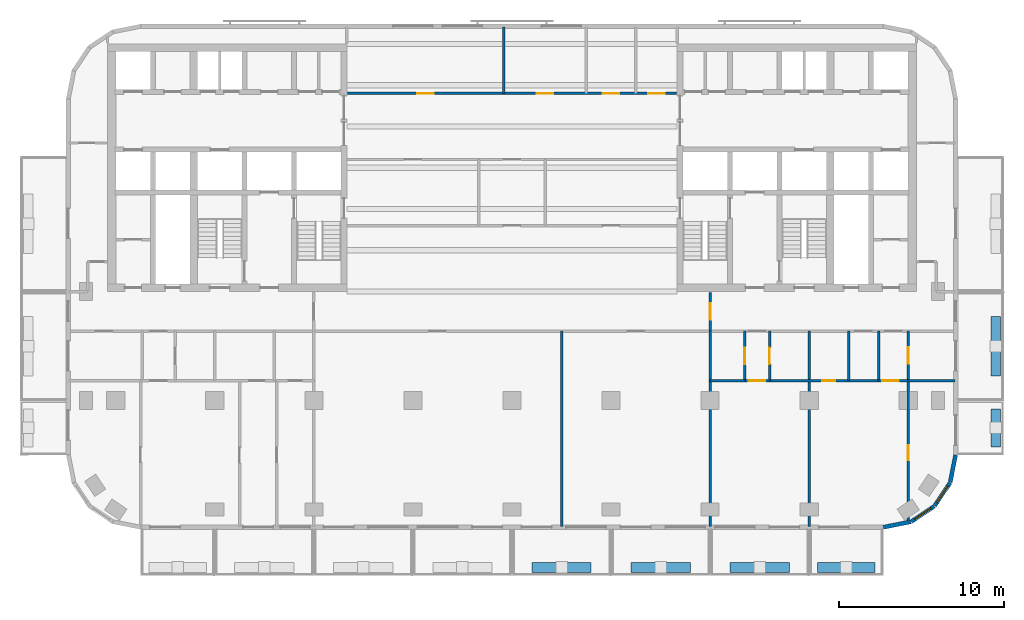
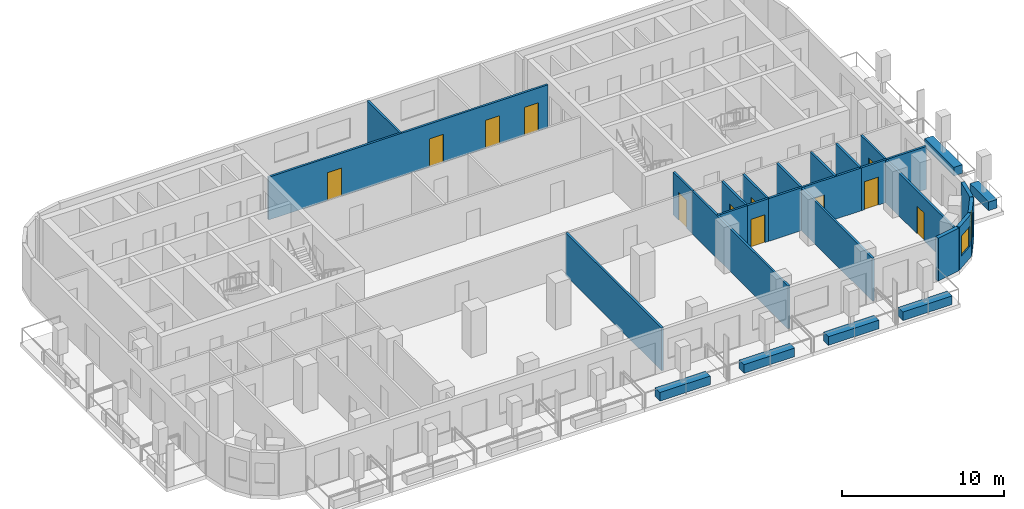
# One storey, part 5 of 11: 27 walls, 12 doors, 2 windows, 14 openings.
"""IFC4 building model written with IfcOpenShell, lengths in metres."""

from ifc_helpers import new_model, si_unit, direction, frame, frame_2d, origin, place, context, subcontext, project, spatial, rectangle, extrude, material, layer, layer_set, type_object, element, fill, save


model = new_model("IFC4")

# Units and contexts
model_context = context("Model", 3, precision=1e-05, world=origin(), true_north=direction((0.0, 1.0)))
body_context = subcontext(model_context, "Body", "Model", "MODEL_VIEW")
ifc_project = project(units=[si_unit("LENGTHUNIT", "METRE"), si_unit("AREAUNIT", "SQUARE_METRE"), si_unit("VOLUMEUNIT", "CUBIC_METRE"), si_unit("PLANEANGLEUNIT", "RADIAN"), si_unit("MASSUNIT", "GRAM", prefix="KILO")], contexts=[model_context])

# Site, building, storey
site_placement = place(None, origin())
site = spatial("IfcSite", under=ifc_project, at=site_placement, CompositionType="ELEMENT")
building_placement = place(site_placement, origin())
building = spatial("IfcBuilding", under=site, at=building_placement, Name="Torana Hotel and Residences", CompositionType="ELEMENT")
storey_placement = place(building_placement, frame((0.0, 0.0, 204.60009765625)))
storey = spatial("IfcBuildingStorey", under=building, at=storey_placement, Name="L53", CompositionType="ELEMENT", Elevation=204.60009765625)

# Wall
ifc_material_1 = material(Name="Black aluminium composite panel", Category="aluminium")
ifc_layer_1 = layer(ifc_material_1, 0.00390625, Name="Cladding", Category="cladding")
ifc_material_2 = material(Name="Ventilated air cavity")
ifc_layer_2 = layer(ifc_material_2, 0.0400390625, Name="Ventilated cavity", Category="cavity")
ifc_material_3 = material(Name="Mineral wool insulation")
ifc_layer_3 = layer(ifc_material_3, 0.090087890625, Name="Insulation", Category="insulation")
ifc_material_4 = material(Name="Steel S280GD", Category="steel")
ifc_layer_4 = layer(ifc_material_4, 0.092041015625, Name="Steel stud frame", Category="structure")
ifc_material_5 = material(Name="Fire rated plasterboard")
ifc_layer_5 = layer(ifc_material_5, 0.011962890625, Name="Inner board", Category="finish")
ifc_layer_6 = layer(ifc_material_5, 0.011962890625, Name="Second board", Category="finish")
ifc_layer_set_1 = layer_set([ifc_layer_1, ifc_layer_2, ifc_layer_3, ifc_layer_4, ifc_layer_5, ifc_layer_6], Name="EW1 EXTERNAL WALL BLACK METAL CLAD 250")
wall_type_1 = type_object("IfcWallType", Name="EW1 EXTERNAL WALL BLACK METAL CLAD 250", PredefinedType="SOLIDWALL", material=ifc_layer_set_1)
wall_1_placement = place(storey_placement, frame((22.499755859375, -29.272705078125, 0.0), z_axis=(0.0, 0.0, 1.0), x_axis=(0.980775640221, 0.19513878023, 0.0)))
element("IfcWall", 1, at=wall_1_placement, inside=storey, type_object=wall_type_1, Name="External wall L53 e0.15", PredefinedType="SOLIDWALL", context=body_context, shape_type="SweptSolid", body=[
    extrude(rectangle(XDim=1.681396484375, YDim=0.25, at=frame_2d((0.8408203125, 0.0))), origin(), (0.0, 0.0, 1.0), 3.219970703125),
])

# Wall, opening, window
wall_2_placement = place(storey_placement, frame((24.194091796875, -28.92578125, 0.0), z_axis=(0.0, 0.0, 1.0), x_axis=(0.831482937015, 0.55555029066, 0.0)))
wall_2 = element("IfcWall", 2, at=wall_2_placement, inside=storey, type_object=wall_type_1, Name="External wall L53 e0.16", PredefinedType="SOLIDWALL", context=body_context, shape_type="SweptSolid", body=[
    extrude(rectangle(XDim=1.65625, YDim=0.25, at=frame_2d((0.828125, 0.0))), origin(), (0.0, 0.0, 1.0), 3.219970703125),
])
opening_1_placement = place(wall_2_placement, frame((0.228271484375, 0.0, 0.89990234375)))
opening_1 = element("IfcOpeningElement", 3, at=opening_1_placement, cuts=wall_2, Name="Opening W5", PredefinedType="OPENING", context=body_context, shape_type="SweptSolid", body=[
    extrude(rectangle(XDim=1.199951171875, YDim=1.5, at=frame_2d((0.60009765625, 0.75))), frame((0.0, 0.135009765625, 0.0), z_axis=(0.0, -1.0, 0.0), x_axis=(1.0, 0.0, 0.0)), (0.0, 0.0, 1.0), 0.27001953125),
])
ifc_material_6 = material(Name="Dark glass in black aluminium frame", Category="aluminium")
window_type = type_object("IfcWindowType", Name="W5 CORNER FACET WINDOW 1200x1500", PartitioningType="SINGLE_PANEL", PredefinedType="WINDOW", material=ifc_material_6)
window_1_placement = place(opening_1_placement, origin())
window_1 = element("IfcWindow", 4, at=window_1_placement, inside=storey, type_object=window_type, Name="Window L53 e0.16", OverallHeight=1.5, OverallWidth=1.199951171875, PartitioningType="SINGLE_PANEL", PredefinedType="WINDOW", context=body_context, shape_type="SweptSolid", body=[
    extrude(rectangle(XDim=1.199951171875, YDim=1.5, at=frame_2d((0.60009765625, 0.75))), frame((0.0, 0.030029296875, 0.0), z_axis=(0.0, -1.0, 0.0), x_axis=(1.0, 0.0, 0.0)), (0.0, 0.0, 1.0), 0.06005859375),
])
fill(opening_1, window_1)

wall_3_placement = place(storey_placement, frame((25.605712890625, -27.97119140625, 0.0), z_axis=(0.0, 0.0, 1.0), x_axis=(0.55555029066, 0.831482937015, 0.0)))
wall_3 = element("IfcWall", 5, at=wall_3_placement, inside=storey, type_object=wall_type_1, Name="External wall L53 e0.17", PredefinedType="SOLIDWALL", context=body_context, shape_type="SweptSolid", body=[
    extrude(rectangle(XDim=1.65625, YDim=0.25, at=frame_2d((0.828125, 0.0))), origin(), (0.0, 0.0, 1.0), 3.219970703125),
])
opening_2_placement = place(wall_3_placement, frame((0.228271484375, 0.0, 0.89990234375)))
opening_2 = element("IfcOpeningElement", 6, at=opening_2_placement, cuts=wall_3, Name="Opening W5", PredefinedType="OPENING", context=body_context, shape_type="SweptSolid", body=[
    extrude(rectangle(XDim=1.199951171875, YDim=1.5, at=frame_2d((0.60009765625, 0.75))), frame((0.0, 0.135009765625, 0.0), z_axis=(0.0, -1.0, 0.0), x_axis=(1.0, 0.0, 0.0)), (0.0, 0.0, 1.0), 0.27001953125),
])
window_2_placement = place(opening_2_placement, origin())
window_2 = element("IfcWindow", 7, at=window_2_placement, inside=storey, type_object=window_type, Name="Window L53 e0.17", OverallHeight=1.5, OverallWidth=1.199951171875, PartitioningType="SINGLE_PANEL", PredefinedType="WINDOW", context=body_context, shape_type="SweptSolid", body=[
    extrude(rectangle(XDim=1.199951171875, YDim=1.5, at=frame_2d((0.60009765625, 0.75))), frame((0.0, 0.030029296875, 0.0), z_axis=(0.0, -1.0, 0.0), x_axis=(1.0, 0.0, 0.0)), (0.0, 0.0, 1.0), 0.06005859375),
])
fill(opening_2, window_2)

# Wall
wall_4_placement = place(storey_placement, frame((26.544677734375, -26.548828125, 0.0), z_axis=(0.0, 0.0, 1.0), x_axis=(0.195026884138, 0.980797896849, 0.0)))
element("IfcWall", 8, at=wall_4_placement, inside=storey, type_object=wall_type_1, Name="External wall L53 e0.18", PredefinedType="SOLIDWALL", context=body_context, shape_type="SweptSolid", body=[
    extrude(rectangle(XDim=1.68115234375, YDim=0.25, at=frame_2d((0.840576171875, 0.0))), origin(), (0.0, 0.0, 1.0), 3.219970703125),
])

# Wall, opening, door
ifc_material_7 = material(Name="Gypsum plaster")
ifc_layer_7 = layer(ifc_material_7, 0.014892578125, Name="Plaster", Category="finish")
ifc_material_8 = material(Name="Concrete blockwork", Category="masonry")
ifc_layer_8 = layer(ifc_material_8, 0.1201171875, Name="Blockwork", Category="structure")
ifc_layer_9 = layer(ifc_material_7, 0.014892578125, Name="Plaster", Category="finish")
ifc_layer_set_2 = layer_set([ifc_layer_7, ifc_layer_8, ifc_layer_9], Name="FIRE PARTITION 150 BLOCKWORK")
wall_type_2 = type_object("IfcWallType", Name="FIRE PARTITION 150 BLOCKWORK", PredefinedType="PARTITIONING", material=ifc_layer_set_2)
wall_5_placement = place(storey_placement, frame((24.0, -20.39990234375, 0.0), z_axis=(0.0, 0.0, 1.0), x_axis=(0.0, 1.0, 0.0)))
wall_5 = element("IfcWall", 9, at=wall_5_placement, inside=storey, type_object=wall_type_2, Name="Partition L53", PredefinedType="PARTITIONING", context=body_context, shape_type="SweptSolid", body=[
    extrude(rectangle(XDim=3.0, YDim=0.14990234375, at=frame_2d((1.5, 0.0))), origin(), (0.0, 0.0, 1.0), 3.219970703125),
])
opening_3_placement = place(wall_5_placement, frame((1.02001953125, 0.0, 0.0)))
opening_3 = element("IfcOpeningElement", 10, at=opening_3_placement, cuts=wall_5, Name="Opening L53-63", PredefinedType="OPENING", context=body_context, shape_type="SweptSolid", body=[
    extrude(rectangle(XDim=1.0, YDim=2.10009765625, at=frame_2d((0.5, 1.050048828125))), frame((0.0, 0.0849609375, 0.0), z_axis=(0.0, -1.0, 0.0), x_axis=(1.0, 0.0, 0.0)), (0.0, 0.0, 1.0), 0.169921875),
])
ifc_material_9 = material(Name="Steel S235", Category="steel")
door_type_1 = type_object("IfcDoorType", Name="ENTRY FIRE DOOR D6 1000x2100", OperationType="SINGLE_SWING_LEFT", PredefinedType="DOOR", material=ifc_material_9)
door_1_placement = place(opening_3_placement, frame((0.5, 0.0, 0.0), z_axis=(0.0, 0.0, 1.0), x_axis=(-1.0, 0.0, 0.0)))
door_1 = element("IfcDoor", 11, at=door_1_placement, inside=storey, type_object=door_type_1, Name="Door L53", OperationType="SINGLE_SWING_LEFT", OverallHeight=2.10009765625, OverallWidth=1.0, PredefinedType="DOOR", context=body_context, shape_type="SweptSolid", body=[
    extrude(rectangle(XDim=1.0, YDim=2.10009765625, at=frame_2d((0.0, 1.050048828125))), frame((0.0, -0.02490234375, 0.0), z_axis=(0.0, 1.0, 0.0), x_axis=(-1.0, 0.0, 0.0)), (0.0, 0.0, 1.0), 0.050048828125),
])
fill(opening_3, door_1)

# Wall
wall_6_placement = place(storey_placement, frame((22.199951171875, -20.39990234375, 0.0), z_axis=(0.0, 0.0, 1.0), x_axis=(0.0, 1.0, 0.0)))
element("IfcWall", 12, at=wall_6_placement, inside=storey, type_object=wall_type_2, Name="Partition L53", PredefinedType="PARTITIONING", context=body_context, shape_type="SweptSolid", body=[
    extrude(rectangle(XDim=3.0, YDim=0.14990234375, at=frame_2d((1.5, 0.0))), origin(), (0.0, 0.0, 1.0), 3.219970703125),
])

# Wall, opening, door
wall_7_placement = place(storey_placement, frame((15.60009765625, -20.39990234375, 0.0), z_axis=(0.0, 0.0, 1.0), x_axis=(0.0, 1.0, 0.0)))
wall_7 = element("IfcWall", 13, at=wall_7_placement, inside=storey, type_object=wall_type_2, Name="Partition L53", PredefinedType="PARTITIONING", context=body_context, shape_type="SweptSolid", body=[
    extrude(rectangle(XDim=3.0, YDim=0.14990234375, at=frame_2d((1.5, 0.0))), origin(), (0.0, 0.0, 1.0), 3.219970703125),
])
opening_4_placement = place(wall_7_placement, frame((1.0, 0.0, 0.0)))
opening_4 = element("IfcOpeningElement", 14, at=opening_4_placement, cuts=wall_7, Name="Opening L53-53", PredefinedType="OPENING", context=body_context, shape_type="SweptSolid", body=[
    extrude(rectangle(XDim=1.0, YDim=2.10009765625, at=frame_2d((0.5, 1.050048828125))), frame((0.0, 0.0849609375, 0.0), z_axis=(0.0, -1.0, 0.0), x_axis=(1.0, 0.0, 0.0)), (0.0, 0.0, 1.0), 0.169921875),
])
door_2_placement = place(opening_4_placement, frame((0.5, 0.0, 0.0), z_axis=(0.0, 0.0, 1.0), x_axis=(-1.0, 0.0, 0.0)))
door_2 = element("IfcDoor", 15, at=door_2_placement, inside=storey, type_object=door_type_1, Name="Door L53", OperationType="SINGLE_SWING_LEFT", OverallHeight=2.10009765625, OverallWidth=1.0, PredefinedType="DOOR", context=body_context, shape_type="SweptSolid", body=[
    extrude(rectangle(XDim=1.0, YDim=2.10009765625, at=frame_2d((0.0, 1.050048828125))), frame((0.0, -0.02490234375, 0.0), z_axis=(0.0, 1.0, 0.0), x_axis=(-1.0, 0.0, 0.0)), (0.0, 0.0, 1.0), 0.050048828125),
])
fill(opening_4, door_2)

wall_8_placement = place(storey_placement, frame((14.10009765625, -20.39990234375, 0.0), z_axis=(0.0, 0.0, 1.0), x_axis=(0.0, 1.0, 0.0)))
wall_8 = element("IfcWall", 16, at=wall_8_placement, inside=storey, type_object=wall_type_2, Name="Partition L53", PredefinedType="PARTITIONING", context=body_context, shape_type="SweptSolid", body=[
    extrude(rectangle(XDim=3.0, YDim=0.14990234375, at=frame_2d((1.5, 0.0))), origin(), (0.0, 0.0, 1.0), 3.219970703125),
])
opening_5_placement = place(wall_8_placement, frame((1.0, 0.0, 0.0)))
opening_5 = element("IfcOpeningElement", 17, at=opening_5_placement, cuts=wall_8, Name="Opening L53-52", PredefinedType="OPENING", context=body_context, shape_type="SweptSolid", body=[
    extrude(rectangle(XDim=1.0, YDim=2.10009765625, at=frame_2d((0.5, 1.050048828125))), frame((0.0, 0.0849609375, 0.0), z_axis=(0.0, -1.0, 0.0), x_axis=(1.0, 0.0, 0.0)), (0.0, 0.0, 1.0), 0.169921875),
])
door_3_placement = place(opening_5_placement, origin())
door_3 = element("IfcDoor", 18, at=door_3_placement, inside=storey, type_object=door_type_1, Name="Door L53", OperationType="SINGLE_SWING_RIGHT", OverallHeight=2.10009765625, OverallWidth=1.0, PredefinedType="DOOR", context=body_context, shape_type="SweptSolid", body=[
    extrude(rectangle(XDim=1.0, YDim=2.10009765625, at=frame_2d((0.5, 1.050048828125))), frame((0.0, 0.02490234375, 0.0), z_axis=(0.0, -1.0, 0.0), x_axis=(1.0, 0.0, 0.0)), (0.0, 0.0, 1.0), 0.050048828125),
])
fill(opening_5, door_3)

wall_9_placement = place(storey_placement, frame((12.0, -17.39990234375, 0.0), z_axis=(0.0, 0.0, 1.0), x_axis=(0.0, 1.0, 0.0)))
wall_9 = element("IfcWall", 19, at=wall_9_placement, inside=storey, type_object=wall_type_2, Name="Partition L53", PredefinedType="PARTITIONING", context=body_context, shape_type="SweptSolid", body=[
    extrude(rectangle(XDim=2.349853515625, YDim=0.14990234375, at=frame_2d((1.1748046875, 0.0))), origin(), (0.0, 0.0, 1.0), 3.219970703125),
])
opening_6_placement = place(wall_9_placement, frame((0.699951171875, 0.0, 0.0)))
opening_6 = element("IfcOpeningElement", 20, at=opening_6_placement, cuts=wall_9, Name="Opening L53-37", PredefinedType="OPENING", context=body_context, shape_type="SweptSolid", body=[
    extrude(rectangle(XDim=1.0, YDim=2.10009765625, at=frame_2d((0.5, 1.050048828125))), frame((0.0, 0.0849609375, 0.0), z_axis=(0.0, -1.0, 0.0), x_axis=(1.0, 0.0, 0.0)), (0.0, 0.0, 1.0), 0.169921875),
])
door_4_placement = place(opening_6_placement, origin())
door_4 = element("IfcDoor", 21, at=door_4_placement, inside=storey, type_object=door_type_1, Name="Door L53", OperationType="SINGLE_SWING_RIGHT", OverallHeight=2.10009765625, OverallWidth=1.0, PredefinedType="DOOR", context=body_context, shape_type="SweptSolid", body=[
    extrude(rectangle(XDim=1.0, YDim=2.10009765625, at=frame_2d((0.5, 1.050048828125))), frame((0.0, 0.02490234375, 0.0), z_axis=(0.0, -1.0, 0.0), x_axis=(1.0, 0.0, 0.0)), (0.0, 0.0, 1.0), 0.050048828125),
])
fill(opening_6, door_4)

wall_10_placement = place(storey_placement, frame((14.10009765625, -20.39990234375, 0.0), z_axis=(0.0, 0.0, 1.0), x_axis=(1.0, 0.0, 0.0)))
wall_10 = element("IfcWall", 22, at=wall_10_placement, inside=storey, type_object=wall_type_2, Name="Partition L53", PredefinedType="PARTITIONING", context=body_context, shape_type="SweptSolid", body=[
    extrude(rectangle(XDim=1.5, YDim=0.14990234375, at=frame_2d((0.75, 0.0))), origin(), (0.0, 0.0, 1.0), 3.219970703125),
])
opening_7_placement = place(wall_10_placement, frame((0.25, 0.0, 0.0)))
opening_7 = element("IfcOpeningElement", 23, at=opening_7_placement, cuts=wall_10, Name="Opening L53-54", PredefinedType="OPENING", context=body_context, shape_type="SweptSolid", body=[
    extrude(rectangle(XDim=1.0, YDim=2.10009765625, at=frame_2d((0.5, 1.050048828125))), frame((0.0, 0.0849609375, 0.0), z_axis=(0.0, -1.0, 0.0), x_axis=(1.0, 0.0, 0.0)), (0.0, 0.0, 1.0), 0.169921875),
])
door_5_placement = place(opening_7_placement, frame((0.5, 0.0, 0.0), z_axis=(0.0, 0.0, 1.0), x_axis=(-1.0, 0.0, 0.0)))
door_5 = element("IfcDoor", 24, at=door_5_placement, inside=storey, type_object=door_type_1, Name="Door L53", OperationType="SINGLE_SWING_LEFT", OverallHeight=2.10009765625, OverallWidth=1.0, PredefinedType="DOOR", context=body_context, shape_type="SweptSolid", body=[
    extrude(rectangle(XDim=1.0, YDim=2.10009765625, at=frame_2d((0.0, 1.050048828125))), frame((0.0, -0.02490234375, 0.0), z_axis=(0.0, 1.0, 0.0), x_axis=(-1.0, 0.0, 0.0)), (0.0, 0.0, 1.0), 0.050048828125),
])
fill(opening_7, door_5)

wall_11_placement = place(storey_placement, frame((22.199951171875, -20.39990234375, 0.0), z_axis=(0.0, 0.0, 1.0), x_axis=(1.0, 0.0, 0.0)))
wall_11 = element("IfcWall", 25, at=wall_11_placement, inside=storey, type_object=wall_type_2, Name="Partition L53", PredefinedType="PARTITIONING", context=body_context, shape_type="SweptSolid", body=[
    extrude(rectangle(XDim=1.800048828125, YDim=0.14990234375, at=frame_2d((0.89990234375, 0.0))), origin(), (0.0, 0.0, 1.0), 3.219970703125),
])
opening_8_placement = place(wall_11_placement, frame((0.22998046875, 0.0, 0.0)))
opening_8 = element("IfcOpeningElement", 26, at=opening_8_placement, cuts=wall_11, Name="Opening L53-64", PredefinedType="OPENING", context=body_context, shape_type="SweptSolid", body=[
    extrude(rectangle(XDim=1.0, YDim=2.10009765625, at=frame_2d((0.5, 1.050048828125))), frame((0.0, 0.0849609375, 0.0), z_axis=(0.0, -1.0, 0.0), x_axis=(1.0, 0.0, 0.0)), (0.0, 0.0, 1.0), 0.169921875),
])
door_6_placement = place(opening_8_placement, frame((0.5, 0.0, 0.0), z_axis=(0.0, 0.0, 1.0), x_axis=(-1.0, 0.0, 0.0)))
door_6 = element("IfcDoor", 27, at=door_6_placement, inside=storey, type_object=door_type_1, Name="Door L53", OperationType="SINGLE_SWING_RIGHT", OverallHeight=2.10009765625, OverallWidth=1.0, PredefinedType="DOOR", context=body_context, shape_type="SweptSolid", body=[
    extrude(rectangle(XDim=1.0, YDim=2.10009765625, at=frame_2d((0.0, 1.050048828125))), frame((0.0, -0.02490234375, 0.0), z_axis=(0.0, 1.0, 0.0), x_axis=(-1.0, 0.0, 0.0)), (0.0, 0.0, 1.0), 0.050048828125),
])
fill(opening_8, door_6)

# Wall, openings, doors
wall_12_placement = place(storey_placement, frame((-9.949951171875, -3.0, 0.0), z_axis=(0.0, 0.0, 1.0), x_axis=(1.0, 0.0, 0.0)))
wall_12 = element("IfcWall", 28, at=wall_12_placement, inside=storey, type_object=wall_type_2, Name="Partition L53", PredefinedType="PARTITIONING", context=body_context, shape_type="SweptSolid", body=[
    extrude(rectangle(XDim=19.89990234375, YDim=0.14990234375, at=frame_2d((9.949951171875, 0.0))), origin(), (0.0, 0.0, 1.0), 3.219970703125),
])
opening_9_placement = place(wall_12_placement, frame((4.199951171875, 0.0, 0.0)))
opening_9 = element("IfcOpeningElement", 29, at=opening_9_placement, cuts=wall_12, Name="Opening L53-48", PredefinedType="OPENING", context=body_context, shape_type="SweptSolid", body=[
    extrude(rectangle(XDim=1.0, YDim=2.10009765625, at=frame_2d((0.5, 1.050048828125))), frame((0.0, 0.0849609375, 0.0), z_axis=(0.0, -1.0, 0.0), x_axis=(1.0, 0.0, 0.0)), (0.0, 0.0, 1.0), 0.169921875),
])
opening_10_placement = place(wall_12_placement, frame((11.449951171875, 0.0, 0.0)))
opening_10 = element("IfcOpeningElement", 30, at=opening_10_placement, cuts=wall_12, Name="Opening L53-49", PredefinedType="OPENING", context=body_context, shape_type="SweptSolid", body=[
    extrude(rectangle(XDim=1.0, YDim=2.10009765625, at=frame_2d((0.5, 1.050048828125))), frame((0.0, 0.0849609375, 0.0), z_axis=(0.0, -1.0, 0.0), x_axis=(1.0, 0.0, 0.0)), (0.0, 0.0, 1.0), 0.169921875),
])
opening_11_placement = place(wall_12_placement, frame((15.449951171875, 0.0, 0.0)))
opening_11 = element("IfcOpeningElement", 31, at=opening_11_placement, cuts=wall_12, Name="Opening L53-50", PredefinedType="OPENING", context=body_context, shape_type="SweptSolid", body=[
    extrude(rectangle(XDim=1.0, YDim=2.10009765625, at=frame_2d((0.5, 1.050048828125))), frame((0.0, 0.0849609375, 0.0), z_axis=(0.0, -1.0, 0.0), x_axis=(1.0, 0.0, 0.0)), (0.0, 0.0, 1.0), 0.169921875),
])
opening_12_placement = place(wall_12_placement, frame((18.199951171875, 0.0, 0.0)))
opening_12 = element("IfcOpeningElement", 32, at=opening_12_placement, cuts=wall_12, Name="Opening L53-51", PredefinedType="OPENING", context=body_context, shape_type="SweptSolid", body=[
    extrude(rectangle(XDim=1.0, YDim=2.10009765625, at=frame_2d((0.5, 1.050048828125))), frame((0.0, 0.0849609375, 0.0), z_axis=(0.0, -1.0, 0.0), x_axis=(1.0, 0.0, 0.0)), (0.0, 0.0, 1.0), 0.169921875),
])
door_7_placement = place(opening_9_placement, origin())
door_7 = element("IfcDoor", 33, at=door_7_placement, inside=storey, type_object=door_type_1, Name="Door L53", OperationType="SINGLE_SWING_RIGHT", OverallHeight=2.10009765625, OverallWidth=1.0, PredefinedType="DOOR", context=body_context, shape_type="SweptSolid", body=[
    extrude(rectangle(XDim=1.0, YDim=2.10009765625, at=frame_2d((0.5, 1.050048828125))), frame((0.0, 0.02490234375, 0.0), z_axis=(0.0, -1.0, 0.0), x_axis=(1.0, 0.0, 0.0)), (0.0, 0.0, 1.0), 0.050048828125),
])
fill(opening_9, door_7)
door_8_placement = place(opening_10_placement, origin())
door_8 = element("IfcDoor", 34, at=door_8_placement, inside=storey, type_object=door_type_1, Name="Door L53", OperationType="SINGLE_SWING_RIGHT", OverallHeight=2.10009765625, OverallWidth=1.0, PredefinedType="DOOR", context=body_context, shape_type="SweptSolid", body=[
    extrude(rectangle(XDim=1.0, YDim=2.10009765625, at=frame_2d((0.5, 1.050048828125))), frame((0.0, 0.02490234375, 0.0), z_axis=(0.0, -1.0, 0.0), x_axis=(1.0, 0.0, 0.0)), (0.0, 0.0, 1.0), 0.050048828125),
])
fill(opening_10, door_8)
door_9_placement = place(opening_11_placement, origin())
door_9 = element("IfcDoor", 35, at=door_9_placement, inside=storey, type_object=door_type_1, Name="Door L53", OperationType="SINGLE_SWING_RIGHT", OverallHeight=2.10009765625, OverallWidth=1.0, PredefinedType="DOOR", context=body_context, shape_type="SweptSolid", body=[
    extrude(rectangle(XDim=1.0, YDim=2.10009765625, at=frame_2d((0.5, 1.050048828125))), frame((0.0, 0.02490234375, 0.0), z_axis=(0.0, -1.0, 0.0), x_axis=(1.0, 0.0, 0.0)), (0.0, 0.0, 1.0), 0.050048828125),
])
fill(opening_11, door_9)
door_10_placement = place(opening_12_placement, origin())
door_10 = element("IfcDoor", 36, at=door_10_placement, inside=storey, type_object=door_type_1, Name="Door L53", OperationType="SINGLE_SWING_RIGHT", OverallHeight=2.10009765625, OverallWidth=1.0, PredefinedType="DOOR", context=body_context, shape_type="SweptSolid", body=[
    extrude(rectangle(XDim=1.0, YDim=2.10009765625, at=frame_2d((0.5, 1.050048828125))), frame((0.0, 0.02490234375, 0.0), z_axis=(0.0, -1.0, 0.0), x_axis=(1.0, 0.0, 0.0)), (0.0, 0.0, 1.0), 0.050048828125),
])
fill(opening_12, door_10)

# Wall, opening, door
ifc_material_10 = material(Name="Gypsum plasterboard")
ifc_layer_10 = layer(ifc_material_10, 0.012451171875, Name="Plasterboard", Category="finish")
ifc_layer_11 = layer(ifc_material_10, 0.012451171875, Name="Plasterboard", Category="finish")
ifc_layer_12 = layer(ifc_material_4, 0.10009765625, Name="Steel studs with mineral wool", Category="insulation")
ifc_layer_13 = layer(ifc_material_10, 0.012451171875, Name="Plasterboard", Category="finish")
ifc_layer_14 = layer(ifc_material_10, 0.012451171875, Name="Plasterboard", Category="finish")
ifc_layer_set_3 = layer_set([ifc_layer_10, ifc_layer_11, ifc_layer_12, ifc_layer_13, ifc_layer_14], Name="PARTITION 150 PLASTERBOARD")
wall_type_3 = type_object("IfcWallType", Name="PARTITION 150 PLASTERBOARD", PredefinedType="PARTITIONING", material=ifc_layer_set_3)
wall_13_placement = place(storey_placement, frame((24.0, -28.918212890625, 0.0), z_axis=(0.0, 0.0, 1.0), x_axis=(0.0, 1.0, 0.0)))
wall_13 = element("IfcWall", 37, at=wall_13_placement, inside=storey, type_object=wall_type_3, Name="Partition L53", PredefinedType="PARTITIONING", context=body_context, shape_type="SweptSolid", body=[
    extrude(rectangle(XDim=8.518310546875, YDim=0.14990234375, at=frame_2d((4.25927734375, 0.0))), origin(), (0.0, 0.0, 1.0), 3.219970703125),
])
opening_13_placement = place(wall_13_placement, frame((3.697998046875, 0.0, 0.0)))
opening_13 = element("IfcOpeningElement", 38, at=opening_13_placement, cuts=wall_13, Name="Opening L53-65", PredefinedType="OPENING", context=body_context, shape_type="SweptSolid", body=[
    extrude(rectangle(XDim=0.89990234375, YDim=2.10009765625, at=frame_2d((0.449951171875, 1.050048828125))), frame((0.0, 0.0849609375, 0.0), z_axis=(0.0, -1.0, 0.0), x_axis=(1.0, 0.0, 0.0)), (0.0, 0.0, 1.0), 0.169921875),
])
ifc_material_11 = material(Name="Timber door, oiled ash", Category="wood")
door_type_2 = type_object("IfcDoorType", Name="ROOM DOOR D7 900x2100", OperationType="SINGLE_SWING_LEFT", PredefinedType="DOOR", material=ifc_material_11)
door_11_placement = place(opening_13_placement, origin())
door_11 = element("IfcDoor", 39, at=door_11_placement, inside=storey, type_object=door_type_2, Name="Door L53", OperationType="SINGLE_SWING_RIGHT", OverallHeight=2.10009765625, OverallWidth=0.89990234375, PredefinedType="DOOR", context=body_context, shape_type="SweptSolid", body=[
    extrude(rectangle(XDim=0.89990234375, YDim=2.10009765625, at=frame_2d((0.449951171875, 1.050048828125))), frame((0.0, 0.02490234375, 0.0), z_axis=(0.0, -1.0, 0.0), x_axis=(1.0, 0.0, 0.0)), (0.0, 0.0, 1.0), 0.050048828125),
])
fill(opening_13, door_11)

# Walls
wall_14_placement = place(storey_placement, frame((20.39990234375, -20.39990234375, 0.0), z_axis=(0.0, 0.0, 1.0), x_axis=(0.0, 1.0, 0.0)))
element("IfcWall", 40, at=wall_14_placement, inside=storey, type_object=wall_type_3, Name="Partition L53", PredefinedType="PARTITIONING", context=body_context, shape_type="SweptSolid", body=[
    extrude(rectangle(XDim=3.0, YDim=0.14990234375, at=frame_2d((1.5, 0.0))), origin(), (0.0, 0.0, 1.0), 3.219970703125),
])
for number, where, z_axis, x_axis, name in (
    (41, (18.0, -29.219970703125, 0.0), (0.0, 0.0, 1.0), (0.0, 1.0, 0.0), "Partition L53"),
    (42, (12.0, -29.219970703125, 0.0), (0.0, 0.0, 1.0), (0.0, 1.0, 0.0), "Partition L53"),
    (43, (3.0, -29.219970703125, 0.0), (0.0, 0.0, 1.0), (0.0, 1.0, 0.0), "Partition L53"),
):
    element("IfcWall", number, at=place(storey_placement, frame(where, z_axis=z_axis, x_axis=x_axis)), inside=storey, type_object=wall_type_3, Name=name, PredefinedType="PARTITIONING", context=body_context, shape_type="SweptSolid", body=[
        extrude(rectangle(XDim=11.820068359375, YDim=0.14990234375, at=frame_2d((5.91015625, 0.0))), origin(), (0.0, 0.0, 1.0), 3.219970703125),
    ])
wall_15_placement = place(storey_placement, frame((-0.5, -3.0, 0.0), z_axis=(0.0, 0.0, 1.0), x_axis=(0.0, 1.0, 0.0)))
element("IfcWall", 44, at=wall_15_placement, inside=storey, type_object=wall_type_3, Name="Partition L53", PredefinedType="PARTITIONING", context=body_context, shape_type="SweptSolid", body=[
    extrude(rectangle(XDim=4.02001953125, YDim=0.14990234375, at=frame_2d((2.010009765625, 0.0))), origin(), (0.0, 0.0, 1.0), 3.219970703125),
])
wall_16_placement = place(storey_placement, frame((12.0, -20.39990234375, 0.0), z_axis=(0.0, 0.0, 1.0), x_axis=(1.0, 0.0, 0.0)))
element("IfcWall", 45, at=wall_16_placement, inside=storey, type_object=wall_type_3, Name="Partition L53", PredefinedType="PARTITIONING", context=body_context, shape_type="SweptSolid", body=[
    extrude(rectangle(XDim=2.10009765625, YDim=0.14990234375, at=frame_2d((1.050048828125, 0.0))), origin(), (0.0, 0.0, 1.0), 3.219970703125),
])

# Wall, opening, door
wall_17_placement = place(storey_placement, frame((15.60009765625, -20.39990234375, 0.0), z_axis=(0.0, 0.0, 1.0), x_axis=(1.0, 0.0, 0.0)))
wall_17 = element("IfcWall", 46, at=wall_17_placement, inside=storey, type_object=wall_type_3, Name="Partition L53", PredefinedType="PARTITIONING", context=body_context, shape_type="SweptSolid", body=[
    extrude(rectangle(XDim=6.599853515625, YDim=0.14990234375, at=frame_2d((3.2998046875, 0.0))), origin(), (0.0, 0.0, 1.0), 3.219970703125),
])
opening_14_placement = place(wall_17_placement, frame((3.179931640625, 0.0, 0.0)))
opening_14 = element("IfcOpeningElement", 47, at=opening_14_placement, cuts=wall_17, Name="Opening L53-62", PredefinedType="OPENING", context=body_context, shape_type="SweptSolid", body=[
    extrude(rectangle(XDim=0.800048828125, YDim=2.10009765625, at=frame_2d((0.39990234375, 1.050048828125))), frame((0.0, 0.0849609375, 0.0), z_axis=(0.0, -1.0, 0.0), x_axis=(1.0, 0.0, 0.0)), (0.0, 0.0, 1.0), 0.169921875),
])
ifc_material_12 = material(Name="Timber door, painted", Category="wood")
door_type_3 = type_object("IfcDoorType", Name="BATH DOOR D13 800x2100", OperationType="SINGLE_SWING_LEFT", PredefinedType="DOOR", material=ifc_material_12)
door_12_placement = place(opening_14_placement, origin())
door_12 = element("IfcDoor", 48, at=door_12_placement, inside=storey, type_object=door_type_3, Name="Door L53", OperationType="SINGLE_SWING_RIGHT", OverallHeight=2.10009765625, OverallWidth=0.800048828125, PredefinedType="DOOR", context=body_context, shape_type="SweptSolid", body=[
    extrude(rectangle(XDim=0.800048828125, YDim=2.10009765625, at=frame_2d((0.39990234375, 1.050048828125))), frame((0.0, 0.02490234375, 0.0), z_axis=(0.0, -1.0, 0.0), x_axis=(1.0, 0.0, 0.0)), (0.0, 0.0, 1.0), 0.050048828125),
])
fill(opening_14, door_12)

# Walls
wall_18_placement = place(storey_placement, frame((24.0, -20.39990234375, 0.0), z_axis=(0.0, 0.0, 1.0), x_axis=(1.0, 0.0, 0.0)))
element("IfcWall", 49, at=wall_18_placement, inside=storey, type_object=wall_type_3, Name="Partition L53", PredefinedType="PARTITIONING", context=body_context, shape_type="SweptSolid", body=[
    extrude(rectangle(XDim=2.820068359375, YDim=0.14990234375, at=frame_2d((1.41015625, 0.0))), origin(), (0.0, 0.0, 1.0), 3.219970703125),
])
ifc_material_13 = material(Name="Concrete C40/50 precast", Category="concrete")
ifc_layer_15 = layer(ifc_material_13, 0.10009765625, Name="Planter shell", Category="structure")
ifc_material_14 = material(Name="Root resistant membrane")
ifc_layer_16 = layer(ifc_material_14, 0.00390625, Name="Waterproofing membrane", Category="membrane")
ifc_material_15 = material(Name="Drainage board with filter fleece")
ifc_layer_17 = layer(ifc_material_15, 0.02001953125, Name="Drainage board", Category="drainage")
ifc_material_16 = material(Name="Growing medium")
ifc_layer_18 = layer(ifc_material_16, 0.47607421875, Name="Planting substrate", Category="soil")
ifc_layer_set_4 = layer_set([ifc_layer_15, ifc_layer_16, ifc_layer_17, ifc_layer_18], Name="PL1 BALCONY PLANTER 600")
wall_type_4 = type_object("IfcWallType", Name="PL1 BALCONY PLANTER 600", PredefinedType="USERDEFINED", material=ifc_layer_set_4)
for number, where, z_axis, x_axis, name in (
    (50, (4.800048828125, -31.699951171875, 0.0), (0.0, 0.0, 1.0), (-1.0, 0.0, 0.0), "Planter 05"),
    (51, (10.800048828125, -31.699951171875, 0.0), (0.0, 0.0, 1.0), (-1.0, 0.0, 0.0), "Planter 06"),
    (52, (16.800048828125, -31.699951171875, 0.0), (0.0, 0.0, 1.0), (-1.0, 0.0, 0.0), "Planter 07"),
):
    element("IfcWall", number, at=place(storey_placement, frame(where, z_axis=z_axis, x_axis=x_axis)), inside=storey, type_object=wall_type_4, Name=name, ObjectType="PLANTER", PredefinedType="USERDEFINED", context=body_context, shape_type="SweptSolid", body=[
        extrude(rectangle(XDim=3.60009765625, YDim=0.60009765625, at=frame_2d((1.800048828125, 0.0))), origin(), (0.0, 0.0, 1.0), 0.64990234375),
    ])
wall_19_placement = place(storey_placement, frame((22.0, -31.699951171875, 0.0), z_axis=(0.0, 0.0, 1.0), x_axis=(-1.0, 0.0, 0.0)))
element("IfcWall", 53, at=wall_19_placement, inside=storey, type_object=wall_type_4, Name="Planter 08", ObjectType="PLANTER", PredefinedType="USERDEFINED", context=body_context, shape_type="SweptSolid", body=[
    extrude(rectangle(XDim=3.5, YDim=0.60009765625, at=frame_2d((1.75, 0.0))), origin(), (0.0, 0.0, 1.0), 0.64990234375),
])
wall_20_placement = place(storey_placement, frame((29.300048828125, -22.10009765625, 0.0), z_axis=(0.0, 0.0, 1.0), x_axis=(0.0, -1.0, 0.0)))
element("IfcWall", 54, at=wall_20_placement, inside=storey, type_object=wall_type_4, Name="Planter 12", ObjectType="PLANTER", PredefinedType="USERDEFINED", context=body_context, shape_type="SweptSolid", body=[
    extrude(rectangle(XDim=2.2998046875, YDim=0.60009765625, at=frame_2d((1.14990234375, 0.0))), origin(), (0.0, 0.0, 1.0), 0.64990234375),
])
wall_21_placement = place(storey_placement, frame((29.300048828125, -16.5, 0.0), z_axis=(0.0, 0.0, 1.0), x_axis=(0.0, -1.0, 0.0)))
element("IfcWall", 55, at=wall_21_placement, inside=storey, type_object=wall_type_4, Name="Planter 13", ObjectType="PLANTER", PredefinedType="USERDEFINED", context=body_context, shape_type="SweptSolid", body=[
    extrude(rectangle(XDim=3.60009765625, YDim=0.60009765625, at=frame_2d((1.800048828125, 0.0))), origin(), (0.0, 0.0, 1.0), 0.64990234375),
])

save(model, "model.ifc")
